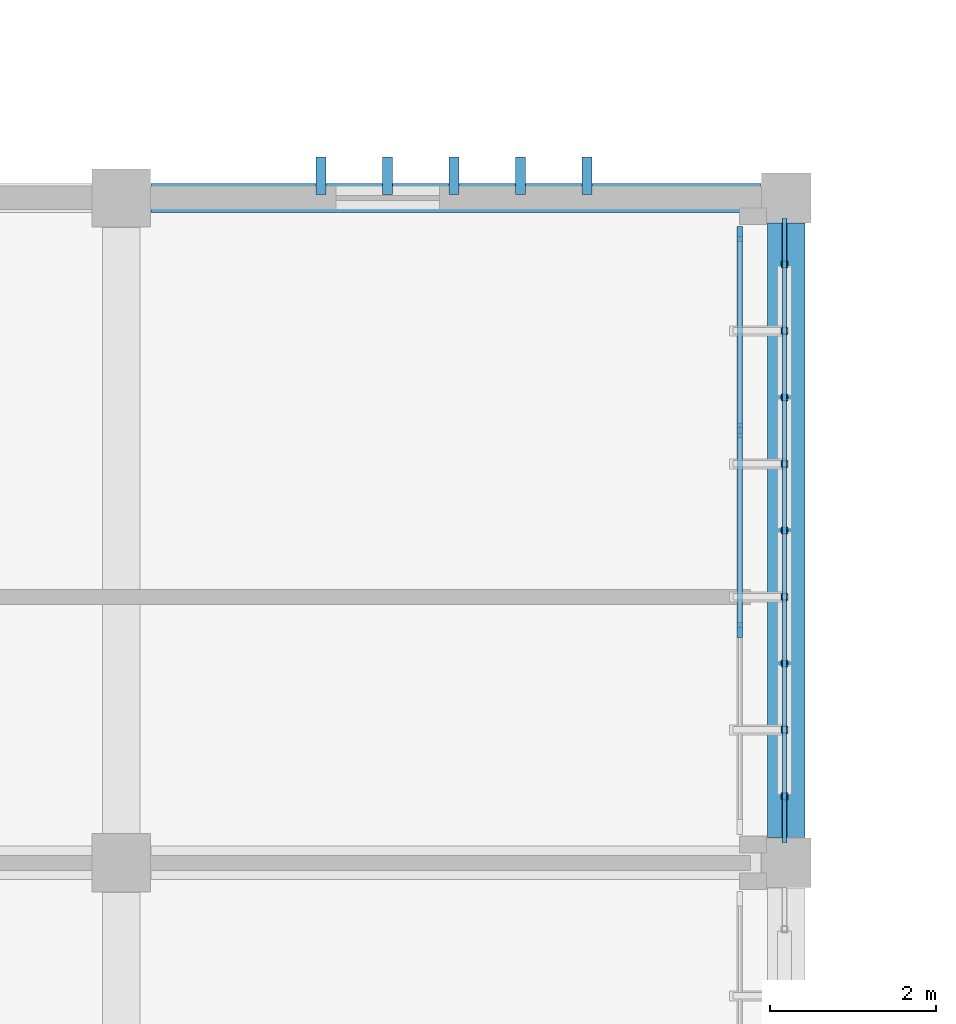
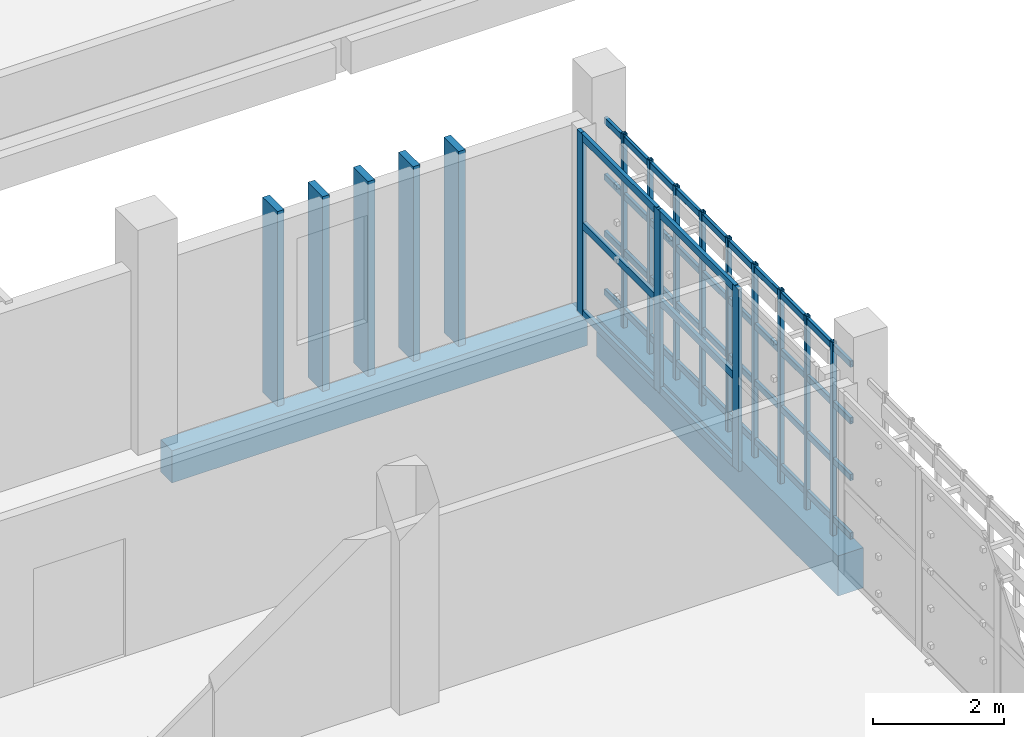
# One storey, part 71 of 137: 27 members, 2 beams, 1 element without a shape of its own.
"""IFC4 building model written with IfcOpenShell, lengths in metres."""

from ifc_helpers import new_model, si_unit, direction, frame, origin, origin_2d, place, context, subcontext, project, spatial, rectangle, hollow_rectangle, extrude, material, layer, layer_set, material_profile, profile_set, type_object, element, aggregate, save


model = new_model("IFC4")

# Units and contexts
model_context = context("Model", 3, precision=1e-05, world=origin(), true_north=direction((0.0, 1.0)))
body_context = subcontext(model_context, "Body", "Model", "MODEL_VIEW")
ifc_project = project(units=[si_unit("LENGTHUNIT", "METRE"), si_unit("AREAUNIT", "SQUARE_METRE"), si_unit("VOLUMEUNIT", "CUBIC_METRE"), si_unit("PLANEANGLEUNIT", "RADIAN"), si_unit("MASSUNIT", "GRAM", prefix="KILO")], contexts=[model_context])

# Site, building, storey
site_placement = place(None, origin())
site = spatial("IfcSite", under=ifc_project, at=site_placement, CompositionType="ELEMENT")
building_placement = place(site_placement, origin())
building = spatial("IfcBuilding", under=site, at=building_placement, Name="Jelvoka-Kovrelna Polytechnic", CompositionType="ELEMENT")
storey_placement = place(building_placement, frame((0.0, 0.0, 9.60009765625)))
storey = spatial("IfcBuildingStorey", under=building, at=storey_placement, Name="L03", CompositionType="ELEMENT", Elevation=9.60009765625)

# Beam
ifc_material_1 = material(Name="Concrete C40/50", Category="concrete")
ifc_material_profile_1 = material_profile(ifc_material_1, rectangle(XDim=0.449951171875, YDim=0.75, at=origin_2d()), Name="RC 450x750")
ifc_profile_set_1 = profile_set([ifc_material_profile_1], Name="Concrete C40/50")
beam_type_1 = type_object("IfcBeamType", Name="Beam_RC_450x750", PredefinedType="BEAM", material=ifc_profile_set_1)
beam_1_placement = place(storey_placement, frame((192.0, 64.304931640625, -0.64013671875), z_axis=(0.0, 1.0, 0.0), x_axis=(-1.0, 0.0, 0.0)))
element("IfcBeam", 1, at=beam_1_placement, inside=storey, type_object=beam_type_1, Name="L03 beam 1087", PredefinedType="BEAM", context=body_context, shape_type="SweptSolid", body=[
    extrude(rectangle(XDim=0.449951171875, YDim=0.75, at=origin_2d()), origin(), (0.0, 0.0, 1.0), 7.39013671875),
])

# Members
ifc_material_2 = material(Name="Precast concrete C40/50", Category="concrete")
ifc_material_profile_2 = material_profile(ifc_material_2, rectangle(XDim=0.1201171875, YDim=0.449951171875, at=origin_2d()), Name="PC 120x450")
ifc_profile_set_2 = profile_set([ifc_material_profile_2], Name="Precast concrete C40/50")
member_type_1 = type_object("IfcMemberType", Name="Louvre_Fin_120x450", PredefinedType="USERDEFINED", material=ifc_profile_set_2)
for number, where, z_axis, x_axis, name in (
    (2, (186.39990234375, 72.264892578125, -0.27001953125), (0.0, 0.0, 1.0), (1.0, 0.0, 0.0), "L03 B3 north vertical solar louvre fin 1616"),
    (3, (187.199951171875, 72.264892578125, -0.27001953125), (0.0, 0.0, 1.0), (1.0, 0.0, 0.0), "L03 B3 north vertical solar louvre fin 1617"),
    (4, (188.0, 72.264892578125, -0.27001953125), (0.0, 0.0, 1.0), (1.0, 0.0, 0.0), "L03 B3 north vertical solar louvre fin 1618"),
    (5, (188.800048828125, 72.264892578125, -0.27001953125), (0.0, 0.0, 1.0), (1.0, 0.0, 0.0), "L03 B3 north vertical solar louvre fin 1619"),
    (6, (189.60009765625, 72.264892578125, -0.27001953125), (0.0, 0.0, 1.0), (1.0, 0.0, 0.0), "L03 B3 north vertical solar louvre fin 1620"),
):
    element("IfcMember", number, at=place(storey_placement, frame(where, z_axis=z_axis, x_axis=x_axis)), inside=storey, type_object=member_type_1, Name=name, ObjectType="SUNSHADE", PredefinedType="USERDEFINED", context=body_context, shape_type="SweptSolid", body=[
        extrude(rectangle(XDim=0.1201171875, YDim=0.449951171875, at=origin_2d()), origin(), (0.0, 0.0, 1.0), 3.64501953125),
    ])
ifc_material_3 = material(Name="Structural steel S355J2H", Category="steel")
ifc_material_profile_3 = material_profile(ifc_material_3, hollow_rectangle(XDim=0.06005859375, YDim=0.1201171875, WallThickness=0.0048828125, InnerFilletRadius=0.0048828125, OuterFilletRadius=0.007568359375, at=origin_2d()), Name="120x60x5.0 RHS")
ifc_profile_set_3 = profile_set([ifc_material_profile_3], Name="Structural steel S355J2H")
member_type_2 = type_object("IfcMemberType", Name="Member_Strut_RHS120", PredefinedType="STRUT", material=ifc_profile_set_3)
for number, where, z_axis, x_axis, name in (
    (7, (191.97998046875, 64.239990234375, 0.079833984375), (0.0, 1.0, 0.0), (-1.0, 0.0, 0.0), "L03 terracotta screen horizontal strut 0690"),
    (8, (191.97998046875, 64.239990234375, 1.17138671875), (0.0, 1.0, 0.0), (-1.0, 0.0, 0.0), "L03 terracotta screen horizontal strut 0691"),
    (9, (191.97998046875, 64.239990234375, 2.230712890625), (0.0, 1.0, 0.0), (-1.0, 0.0, 0.0), "L03 terracotta screen horizontal strut 0692"),
    (10, (191.97998046875, 64.239990234375, 3.289794921875), (0.0, 1.0, 0.0), (-1.0, 0.0, 0.0), "L03 terracotta screen horizontal strut 0693"),
):
    element("IfcMember", number, at=place(storey_placement, frame(where, z_axis=z_axis, x_axis=x_axis)), inside=storey, type_object=member_type_2, Name=name, PredefinedType="STRUT", context=body_context, shape_type="SweptSolid", body=[
        extrude(hollow_rectangle(XDim=0.06005859375, YDim=0.1201171875, WallThickness=0.0048828125, InnerFilletRadius=0.0048828125, OuterFilletRadius=0.007568359375, at=origin_2d()), origin(), (0.0, 0.0, 1.0), 7.52001953125),
    ])
ifc_material_4 = material(Name="Structural steel S355J2H", Category="steel")
ifc_material_profile_4 = material_profile(ifc_material_4, hollow_rectangle(XDim=0.080078125, YDim=0.080078125, WallThickness=0.0048828125, InnerFilletRadius=0.0048828125, OuterFilletRadius=0.007568359375, at=origin_2d()), Name="80x80x5.0 SHS")
ifc_profile_set_4 = profile_set([ifc_material_profile_4], Name="Structural steel S355J2H")
member_type_3 = type_object("IfcMemberType", Name="Member_Strut_SHS80", PredefinedType="STRUT", material=ifc_profile_set_4)
for number, where, z_axis, x_axis, name in (
    (11, (191.97998046875, 64.800048828125, -0.22998046875), (0.0, 0.0, 1.0), (1.0, 0.0, 0.0), "L03 terracotta lattice vertical rib 0694"),
    (12, (191.97998046875, 65.60009765625, -0.22998046875), (0.0, 0.0, 1.0), (1.0, 0.0, 0.0), "L03 terracotta lattice vertical rib 0695"),
    (13, (191.97998046875, 66.39990234375, -0.22998046875), (0.0, 0.0, 1.0), (1.0, 0.0, 0.0), "L03 terracotta lattice vertical rib 0696"),
    (14, (191.97998046875, 67.199951171875, -0.22998046875), (0.0, 0.0, 1.0), (1.0, 0.0, 0.0), "L03 terracotta lattice vertical rib 0697"),
    (15, (191.97998046875, 68.0, -0.22998046875), (0.0, 0.0, 1.0), (1.0, 0.0, 0.0), "L03 terracotta lattice vertical rib 0698"),
    (16, (191.97998046875, 68.800048828125, -0.22998046875), (0.0, 0.0, 1.0), (1.0, 0.0, 0.0), "L03 terracotta lattice vertical rib 0699"),
    (17, (191.97998046875, 69.60009765625, -0.22998046875), (0.0, 0.0, 1.0), (1.0, 0.0, 0.0), "L03 terracotta lattice vertical rib 0700"),
    (18, (191.97998046875, 70.39990234375, -0.22998046875), (0.0, 0.0, 1.0), (1.0, 0.0, 0.0), "L03 terracotta lattice vertical rib 0701"),
    (19, (191.97998046875, 71.199951171875, -0.22998046875), (0.0, 0.0, 1.0), (1.0, 0.0, 0.0), "L03 terracotta lattice vertical rib 0702"),
):
    element("IfcMember", number, at=place(storey_placement, frame(where, z_axis=z_axis, x_axis=x_axis)), inside=storey, type_object=member_type_3, Name=name, PredefinedType="STRUT", context=body_context, shape_type="SweptSolid", body=[
        extrude(hollow_rectangle(XDim=0.080078125, YDim=0.080078125, WallThickness=0.0048828125, InnerFilletRadius=0.0048828125, OuterFilletRadius=0.007568359375, at=origin_2d()), origin(), (0.0, 0.0, 1.0), 3.60986328125),
    ])

# Curtain wall, members
ifc_material_5 = material(Name="Anodised aluminium 6063-T6", Category="aluminium")
ifc_layer = layer(ifc_material_5, 0.179931640625)
ifc_layer_set = layer_set([ifc_layer], Name="Anodised aluminium 6063-T6")
curtain_wall_type = type_object("IfcCurtainWallType", Name="CW_Recessed_B", PredefinedType="NOTDEFINED", material=ifc_layer_set)
curtain_wall_placement = place(storey_placement, origin())
curtain_wall = element("IfcCurtainWall", 20, at=curtain_wall_placement, inside=storey, type_object=curtain_wall_type, Name="L03 glazed curtain wall 086", PredefinedType="NOTDEFINED")
ifc_material_6 = material(Name="Anodised aluminium 6063-T6", Category="aluminium")
ifc_material_profile_5 = material_profile(ifc_material_6, rectangle(XDim=0.06494140625, YDim=0.179931640625, at=origin_2d()), Name="ALU 65x180")
ifc_profile_set_5 = profile_set([ifc_material_profile_5], Name="Anodised aluminium 6063-T6")
member_type_4 = type_object("IfcMemberType", Name="Mullion_M-02", PredefinedType="MULLION", material=ifc_profile_set_5)
member_1_placement = place(storey_placement, frame((191.43994140625, 71.5673828125, -0.02490234375), z_axis=(0.0, 0.0, 1.0), x_axis=(1.0, 0.0, 0.0)))
member_1 = element("IfcMember", 21, at=member_1_placement, type_object=member_type_4, Name="CW-02 mullion 1", PredefinedType="MULLION", context=body_context, shape_type="SweptSolid", body=[
    extrude(rectangle(XDim=0.06494140625, YDim=0.179931640625, at=origin_2d()), origin(), (0.0, 0.0, 1.0), 3.39990234375),
])
member_2_placement = place(storey_placement, frame((191.43994140625, 69.199951171875, -0.02490234375), z_axis=(0.0, 0.0, 1.0), x_axis=(1.0, 0.0, 0.0)))
member_2 = element("IfcMember", 22, at=member_2_placement, type_object=member_type_4, Name="CW-02 mullion 2", PredefinedType="MULLION", context=body_context, shape_type="SweptSolid", body=[
    extrude(rectangle(XDim=0.06494140625, YDim=0.179931640625, at=origin_2d()), origin(), (0.0, 0.0, 1.0), 3.39990234375),
])
member_3_placement = place(storey_placement, frame((191.43994140625, 66.800048828125, -0.02490234375), z_axis=(0.0, 0.0, 1.0), x_axis=(1.0, 0.0, 0.0)))
member_3 = element("IfcMember", 23, at=member_3_placement, type_object=member_type_4, Name="CW-02 mullion 3", PredefinedType="MULLION", context=body_context, shape_type="SweptSolid", body=[
    extrude(rectangle(XDim=0.06494140625, YDim=0.179931640625, at=origin_2d()), origin(), (0.0, 0.0, 1.0), 3.39990234375),
])

# Beam
ifc_material_7 = material(Name="Concrete C40/50", Category="concrete")
ifc_material_profile_6 = material_profile(ifc_material_7, rectangle(XDim=0.35009765625, YDim=0.60009765625, at=origin_2d()), Name="RC 350x600")
ifc_profile_set_6 = profile_set([ifc_material_profile_6], Name="Concrete C40/50")
beam_type_2 = type_object("IfcBeamType", Name="Spandrel_RC_350x600", PredefinedType="SPANDREL", material=ifc_profile_set_6)
beam_2_placement = place(storey_placement, frame((184.35498046875, 72.0, -0.565185546875), z_axis=(1.0, 0.0, 0.0), x_axis=(0.0, 1.0, 0.0)))
element("IfcBeam", 24, at=beam_2_placement, inside=storey, type_object=beam_type_2, Name="L03 beam 1067", PredefinedType="SPANDREL", context=body_context, shape_type="SweptSolid", body=[
    extrude(rectangle(XDim=0.35009765625, YDim=0.60009765625, at=origin_2d()), origin(), (0.0, 0.0, 1.0), 7.340087890625),
])

# Member
ifc_material_8 = material(Name="Anodised aluminium 6063-T6", Category="aluminium")
ifc_material_profile_7 = material_profile(ifc_material_8, rectangle(XDim=0.06494140625, YDim=0.135009765625, at=origin_2d()), Name="ALU 65x135")
ifc_profile_set_7 = profile_set([ifc_material_profile_7], Name="Anodised aluminium 6063-T6")
member_type_5 = type_object("IfcMemberType", Name="Transom_T-02", PredefinedType="USERDEFINED", material=ifc_profile_set_7)
member_4_placement = place(storey_placement, frame((191.43994140625, 71.534912109375, 0.032470703125), z_axis=(0.0, -1.0, 0.0), x_axis=(1.0, 0.0, 0.0)))
member_4 = element("IfcMember", 25, at=member_4_placement, type_object=member_type_5, Name="CW-02 transom 1.1", ObjectType="TRANSOM", PredefinedType="USERDEFINED", context=body_context, shape_type="SweptSolid", body=[
    extrude(rectangle(XDim=0.06494140625, YDim=0.135009765625, at=origin_2d()), origin(), (0.0, 0.0, 1.0), 2.302490234375),
])

member_5_placement = place(storey_placement, frame((191.43994140625, 71.534912109375, 1.6748046875), z_axis=(0.0, -1.0, 0.0), x_axis=(1.0, 0.0, 0.0)))
member_5 = element("IfcMember", 26, at=member_5_placement, type_object=member_type_5, Name="CW-02 transom 1.2", ObjectType="TRANSOM", PredefinedType="USERDEFINED", context=body_context, shape_type="SweptSolid", body=[
    extrude(rectangle(XDim=0.06494140625, YDim=0.135009765625, at=origin_2d()), origin(), (0.0, 0.0, 1.0), 2.302490234375),
])

member_6_placement = place(storey_placement, frame((191.43994140625, 71.534912109375, 3.3173828125), z_axis=(0.0, -1.0, 0.0), x_axis=(1.0, 0.0, 0.0)))
member_6 = element("IfcMember", 27, at=member_6_placement, type_object=member_type_5, Name="CW-02 transom 1.3", ObjectType="TRANSOM", PredefinedType="USERDEFINED", context=body_context, shape_type="SweptSolid", body=[
    extrude(rectangle(XDim=0.06494140625, YDim=0.135009765625, at=origin_2d()), origin(), (0.0, 0.0, 1.0), 2.302490234375),
])

member_7_placement = place(storey_placement, frame((191.43994140625, 69.16748046875, 0.032470703125), z_axis=(0.0, -1.0, 0.0), x_axis=(1.0, 0.0, 0.0)))
member_7 = element("IfcMember", 28, at=member_7_placement, type_object=member_type_5, Name="CW-02 transom 2.1", ObjectType="TRANSOM", PredefinedType="USERDEFINED", context=body_context, shape_type="SweptSolid", body=[
    extrude(rectangle(XDim=0.06494140625, YDim=0.135009765625, at=origin_2d()), origin(), (0.0, 0.0, 1.0), 2.3349609375),
])

member_8_placement = place(storey_placement, frame((191.43994140625, 69.16748046875, 1.6748046875), z_axis=(0.0, -1.0, 0.0), x_axis=(1.0, 0.0, 0.0)))
member_8 = element("IfcMember", 29, at=member_8_placement, type_object=member_type_5, Name="CW-02 transom 2.2", ObjectType="TRANSOM", PredefinedType="USERDEFINED", context=body_context, shape_type="SweptSolid", body=[
    extrude(rectangle(XDim=0.06494140625, YDim=0.135009765625, at=origin_2d()), origin(), (0.0, 0.0, 1.0), 2.3349609375),
])

member_9_placement = place(storey_placement, frame((191.43994140625, 69.16748046875, 3.3173828125), z_axis=(0.0, -1.0, 0.0), x_axis=(1.0, 0.0, 0.0)))
member_9 = element("IfcMember", 30, at=member_9_placement, type_object=member_type_5, Name="CW-02 transom 2.3", ObjectType="TRANSOM", PredefinedType="USERDEFINED", context=body_context, shape_type="SweptSolid", body=[
    extrude(rectangle(XDim=0.06494140625, YDim=0.135009765625, at=origin_2d()), origin(), (0.0, 0.0, 1.0), 2.3349609375),
])

aggregate(curtain_wall, [member_1, member_2, member_3, member_4, member_5, member_6, member_7, member_8, member_9])

save(model, "model.ifc")
